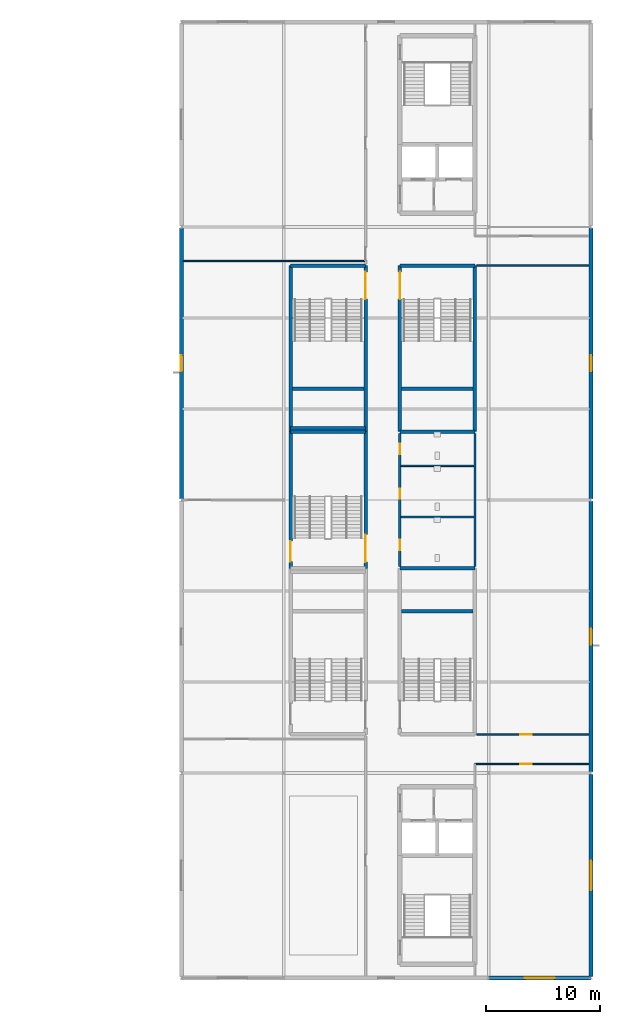
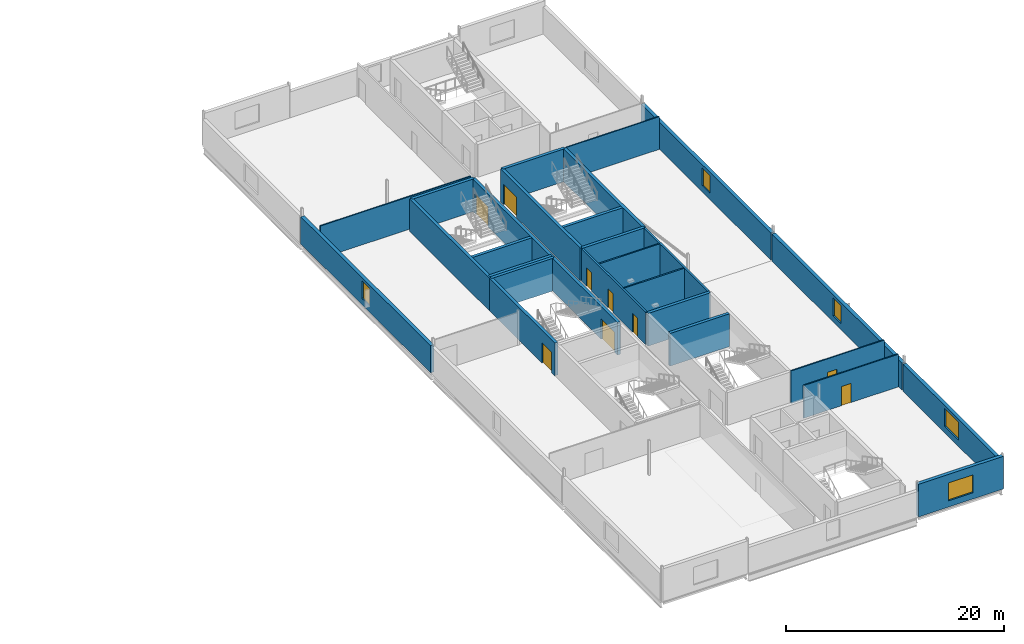
# One storey, part 23 of 35: 28 walls, 9 doors, 5 windows, 14 openings.
"""IFC4 building model written with IfcOpenShell, lengths in metres."""

from ifc_helpers import new_model, si_unit, direction, frame, frame_2d, origin, place, context, subcontext, project, spatial, rectangle, extrude, material, layer, layer_set, type_object, element, fill, save


model = new_model("IFC4")

# Units and contexts
model_context = context("Model", 3, precision=1e-05, world=origin(), true_north=direction((0.0, 1.0)))
body_context = subcontext(model_context, "Body", "Model", "MODEL_VIEW")
ifc_project = project(units=[si_unit("LENGTHUNIT", "METRE"), si_unit("AREAUNIT", "SQUARE_METRE"), si_unit("VOLUMEUNIT", "CUBIC_METRE"), si_unit("PLANEANGLEUNIT", "RADIAN"), si_unit("MASSUNIT", "GRAM", prefix="KILO")], contexts=[model_context])

# Site, building, storey
site_placement = place(None, origin())
site = spatial("IfcSite", under=ifc_project, at=site_placement, CompositionType="ELEMENT")
building_placement = place(site_placement, origin())
building = spatial("IfcBuilding", under=site, at=building_placement, Name="Kisiwana Market Hall", CompositionType="ELEMENT")
storey_placement = place(building_placement, frame((0.0, 0.0, 61.800048828125)))
storey = spatial("IfcBuildingStorey", under=building, at=storey_placement, Name="L14", CompositionType="ELEMENT", Elevation=61.800048828125)

# Wall
ifc_material_1 = material(Name="Masonry blockwork", Category="masonry")
ifc_layer_1 = layer(ifc_material_1, 0.199951171875, Name="Plastered fire compartment block wall")
ifc_layer_set_1 = layer_set([ifc_layer_1], Name="WL-COMP-200")
wall_type_1 = type_object("IfcWallType", Name="WL-COMP-200", PredefinedType="PARTITIONING", material=ifc_layer_set_1)
wall_1_placement = place(storey_placement, frame((187.800048828125, 54.159912109375, 0.0), z_axis=(0.0, 0.0, 1.0), x_axis=(0.0, 1.0, 0.0)))
element("IfcWall", 1, at=wall_1_placement, inside=storey, type_object=wall_type_1, Name="Interior partition W-3332", PredefinedType="PARTITIONING", context=body_context, shape_type="SweptSolid", body=[
    extrude(rectangle(XDim=11.68017578125, YDim=0.199951171875, at=frame_2d((5.840087890625, 0.0))), origin(), (0.0, 0.0, 1.0), 3.655029296875),
])

# Wall, openings, doors
wall_2_placement = place(storey_placement, frame((181.199951171875, 54.159912109375, 0.0), z_axis=(0.0, 0.0, 1.0), x_axis=(0.0, 1.0, 0.0)))
wall_2 = element("IfcWall", 2, at=wall_2_placement, inside=storey, type_object=wall_type_1, Name="Interior partition W-3333", PredefinedType="PARTITIONING", context=body_context, shape_type="SweptSolid", body=[
    extrude(rectangle(XDim=11.68017578125, YDim=0.199951171875, at=frame_2d((5.840087890625, 0.0))), origin(), (0.0, 0.0, 1.0), 3.655029296875),
])
opening_1_placement = place(wall_2_placement, frame((1.43994140625, 0.0, 0.0)))
opening_1 = element("IfcOpeningElement", 3, at=opening_1_placement, cuts=wall_2, Name="Opening DR-L14-039", PredefinedType="OPENING", context=body_context, shape_type="SweptSolid", body=[
    extrude(rectangle(XDim=0.89990234375, YDim=2.10009765625, at=frame_2d((0.449951171875, 1.050048828125))), frame((0.0, 0.11181640625, 0.0), z_axis=(0.0, -1.0, 0.0), x_axis=(1.0, 0.0, 0.0)), (0.0, 0.0, 1.0), 0.223876953125),
])
opening_2_placement = place(wall_2_placement, frame((5.93994140625, 0.0, 0.0)))
opening_2 = element("IfcOpeningElement", 4, at=opening_2_placement, cuts=wall_2, Name="Opening DR-L14-040", PredefinedType="OPENING", context=body_context, shape_type="SweptSolid", body=[
    extrude(rectangle(XDim=0.89990234375, YDim=2.10009765625, at=frame_2d((0.449951171875, 1.050048828125))), frame((0.0, 0.11181640625, 0.0), z_axis=(0.0, -1.0, 0.0), x_axis=(1.0, 0.0, 0.0)), (0.0, 0.0, 1.0), 0.223876953125),
])
opening_3_placement = place(wall_2_placement, frame((9.840087890625, 0.0, 0.0)))
opening_3 = element("IfcOpeningElement", 5, at=opening_3_placement, cuts=wall_2, Name="Opening DR-L14-041", PredefinedType="OPENING", context=body_context, shape_type="SweptSolid", body=[
    extrude(rectangle(XDim=0.949951171875, YDim=2.10009765625, at=frame_2d((0.47509765625, 1.050048828125))), frame((0.0, 0.11181640625, 0.0), z_axis=(0.0, -1.0, 0.0), x_axis=(1.0, 0.0, 0.0)), (0.0, 0.0, 1.0), 0.223876953125),
])
ifc_material_2 = material(Name="Aluminium alloy 6063-T6", Category="aluminium")
door_type_1 = type_object("IfcDoorType", Name="DR-WC-ACC-950", OperationType="NOTDEFINED", PredefinedType="DOOR", material=ifc_material_2)
door_1_placement = place(opening_3_placement, frame((0.949951171875, 0.0, 0.0), z_axis=(0.0, 0.0, 1.0), x_axis=(-1.0, 0.0, 0.0)))
door_1 = element("IfcDoor", 6, at=door_1_placement, inside=storey, type_object=door_type_1, Name="L14 E Accessible WC Door", OperationType="SINGLE_SWING_LEFT", OverallHeight=2.10009765625, OverallWidth=0.949951171875, PredefinedType="DOOR", context=body_context, shape_type="SweptSolid", body=[
    extrude(rectangle(XDim=0.949951171875, YDim=2.10009765625, at=frame_2d((0.47509765625, 1.050048828125))), frame((0.0, 0.02490234375, 0.0), z_axis=(0.0, -1.0, 0.0), x_axis=(1.0, 0.0, 0.0)), (0.0, 0.0, 1.0), 0.050048828125),
])
fill(opening_3, door_1)
ifc_material_3 = material(Name="Aluminium alloy 6063-T6", Category="aluminium")
door_type_2 = type_object("IfcDoorType", Name="DR-WC-STD-900", OperationType="NOTDEFINED", PredefinedType="DOOR", material=ifc_material_3)
door_2_placement = place(opening_1_placement, frame((0.89990234375, 0.0, 0.0), z_axis=(0.0, 0.0, 1.0), x_axis=(-1.0, 0.0, 0.0)))
door_2 = element("IfcDoor", 7, at=door_2_placement, inside=storey, type_object=door_type_2, Name="L14 E Male Toilet Door", OperationType="SINGLE_SWING_RIGHT", OverallHeight=2.10009765625, OverallWidth=0.89990234375, PredefinedType="DOOR", context=body_context, shape_type="SweptSolid", body=[
    extrude(rectangle(XDim=0.89990234375, YDim=2.10009765625, at=frame_2d((0.449951171875, 1.050048828125))), frame((0.0, 0.02490234375, 0.0), z_axis=(0.0, -1.0, 0.0), x_axis=(1.0, 0.0, 0.0)), (0.0, 0.0, 1.0), 0.050048828125),
])
fill(opening_1, door_2)
door_3_placement = place(opening_2_placement, frame((0.89990234375, 0.0, 0.0), z_axis=(0.0, 0.0, 1.0), x_axis=(-1.0, 0.0, 0.0)))
door_3 = element("IfcDoor", 8, at=door_3_placement, inside=storey, type_object=door_type_2, Name="L14 E Female Toilet Door", OperationType="SINGLE_SWING_LEFT", OverallHeight=2.10009765625, OverallWidth=0.89990234375, PredefinedType="DOOR", context=body_context, shape_type="SweptSolid", body=[
    extrude(rectangle(XDim=0.89990234375, YDim=2.10009765625, at=frame_2d((0.449951171875, 1.050048828125))), frame((0.0, 0.02490234375, 0.0), z_axis=(0.0, -1.0, 0.0), x_axis=(1.0, 0.0, 0.0)), (0.0, 0.0, 1.0), 0.050048828125),
])
fill(opening_2, door_3)

# Walls
ifc_material_4 = material(Name="Concrete C40/50", Category="concrete")
ifc_layer_2 = layer(ifc_material_4, 0.320068359375, Name="Reinforced concrete shaft wall")
ifc_layer_set_2 = layer_set([ifc_layer_2], Name="WL-CORE-320")
wall_type_2 = type_object("IfcWallType", Name="WL-CORE-320", PredefinedType="SHEAR", material=ifc_layer_set_2)
wall_3_placement = place(storey_placement, frame((181.199951171875, 54.0, 0.0), z_axis=(0.0, 0.0, 1.0), x_axis=(1.0, 0.0, 0.0)))
element("IfcWall", 9, at=wall_3_placement, inside=storey, type_object=wall_type_2, Name="Core E3 north shear wall W-3246", PredefinedType="SHEAR", context=body_context, shape_type="SweptSolid", body=[
    extrude(rectangle(XDim=6.60009765625, YDim=0.320068359375, at=frame_2d((3.300048828125, 0.0))), origin(), (0.0, 0.0, 1.0), 3.655029296875),
])
wall_4_placement = place(storey_placement, frame((181.360107421875, 50.219970703125, 0.0), z_axis=(0.0, 0.0, 1.0), x_axis=(1.0, 0.0, 0.0)))
element("IfcWall", 10, at=wall_4_placement, inside=storey, type_object=wall_type_2, Name="Core E3 riser divider shear wall W-3249", PredefinedType="SHEAR", context=body_context, shape_type="SweptSolid", body=[
    extrude(rectangle(XDim=6.27978515625, YDim=0.320068359375, at=frame_2d((3.139892578125, 0.0))), origin(), (0.0, 0.0, 1.0), 3.655029296875),
])
for number, where, z_axis, x_axis, name in (
    (11, (181.199951171875, 66.0, 0.0), (0.0, 0.0, 1.0), (1.0, 0.0, 0.0), "Core E4 south shear wall W-3250"),
    (12, (181.199951171875, 80.60009765625, 0.0), (0.0, 0.0, 1.0), (1.0, 0.0, 0.0), "Core E4 north shear wall W-3251"),
):
    element("IfcWall", number, at=place(storey_placement, frame(where, z_axis=z_axis, x_axis=x_axis)), inside=storey, type_object=wall_type_2, Name=name, PredefinedType="SHEAR", context=body_context, shape_type="SweptSolid", body=[
        extrude(rectangle(XDim=6.60009765625, YDim=0.320068359375, at=frame_2d((3.300048828125, 0.0))), origin(), (0.0, 0.0, 1.0), 3.655029296875),
    ])

# Wall, opening, door
wall_5_placement = place(storey_placement, frame((181.199951171875, 66.0, 0.0), z_axis=(0.0, 0.0, 1.0), x_axis=(0.0, 1.0, 0.0)))
wall_5 = element("IfcWall", 13, at=wall_5_placement, inside=storey, type_object=wall_type_2, Name="Core E4 corridor shear wall W-3252", PredefinedType="SHEAR", context=body_context, shape_type="SweptSolid", body=[
    extrude(rectangle(XDim=14.60009765625, YDim=0.320068359375, at=frame_2d((7.300048828125, 0.0))), origin(), (0.0, 0.0, 1.0), 3.655029296875),
])
opening_4_placement = place(wall_5_placement, frame((11.64990234375, 0.0, 0.0)))
opening_4 = element("IfcOpeningElement", 14, at=opening_4_placement, cuts=wall_5, Name="Opening DR-L14-016", PredefinedType="OPENING", context=body_context, shape_type="SweptSolid", body=[
    extrude(rectangle(XDim=2.39990234375, YDim=2.25, at=frame_2d((1.199951171875, 1.125))), frame((0.0, 0.171875, 0.0), z_axis=(0.0, -1.0, 0.0), x_axis=(1.0, 0.0, 0.0)), (0.0, 0.0, 1.0), 0.343994140625),
])
ifc_material_5 = material(Name="Steel S275", Category="steel")
door_type_3 = type_object("IfcDoorType", Name="DR-STAIR-FD120-2400", OperationType="DOUBLE_DOOR_SINGLE_SWING", PredefinedType="DOOR", material=ifc_material_5)
door_4_placement = place(opening_4_placement, frame((2.39990234375, 0.0, 0.0), z_axis=(0.0, 0.0, 1.0), x_axis=(-1.0, 0.0, 0.0)))
door_4 = element("IfcDoor", 15, at=door_4_placement, inside=storey, type_object=door_type_3, Name="Escape Stair E4 Fire Door (L14)", OperationType="DOUBLE_DOOR_SINGLE_SWING", OverallHeight=2.25, OverallWidth=2.39990234375, PredefinedType="DOOR", context=body_context, shape_type="SweptSolid", body=[
    extrude(rectangle(XDim=2.39990234375, YDim=2.25, at=frame_2d((1.199951171875, 1.125))), frame((0.0, 0.02490234375, 0.0), z_axis=(0.0, -1.0, 0.0), x_axis=(1.0, 0.0, 0.0)), (0.0, 0.0, 1.0), 0.050048828125),
])
fill(opening_4, door_4)

# Walls
wall_6_placement = place(storey_placement, frame((187.800048828125, 66.0, 0.0), z_axis=(0.0, 0.0, 1.0), x_axis=(0.0, 1.0, 0.0)))
element("IfcWall", 16, at=wall_6_placement, inside=storey, type_object=wall_type_2, Name="Core E4 outer shear wall W-3253", PredefinedType="SHEAR", context=body_context, shape_type="SweptSolid", body=[
    extrude(rectangle(XDim=14.60009765625, YDim=0.320068359375, at=frame_2d((7.300048828125, 0.0))), origin(), (0.0, 0.0, 1.0), 3.655029296875),
])
wall_7_placement = place(storey_placement, frame((181.360107421875, 69.780029296875, 0.0), z_axis=(0.0, 0.0, 1.0), x_axis=(1.0, 0.0, 0.0)))
element("IfcWall", 17, at=wall_7_placement, inside=storey, type_object=wall_type_2, Name="Core E4 riser divider shear wall W-3254", PredefinedType="SHEAR", context=body_context, shape_type="SweptSolid", body=[
    extrude(rectangle(XDim=6.27978515625, YDim=0.320068359375, at=frame_2d((3.139892578125, 0.0))), origin(), (0.0, 0.0, 1.0), 3.655029296875),
])
for number, where, z_axis, x_axis, name in (
    (18, (171.60009765625, 66.0, 0.0), (0.0, 0.0, 1.0), (1.0, 0.0, 0.0), "Core E8 south shear wall W-3270"),
    (19, (171.60009765625, 80.60009765625, 0.0), (0.0, 0.0, 1.0), (1.0, 0.0, 0.0), "Core E8 north shear wall W-3271"),
):
    element("IfcWall", number, at=place(storey_placement, frame(where, z_axis=z_axis, x_axis=x_axis)), inside=storey, type_object=wall_type_2, Name=name, PredefinedType="SHEAR", context=body_context, shape_type="SweptSolid", body=[
        extrude(rectangle(XDim=6.599853515625, YDim=0.320068359375, at=frame_2d((3.2998046875, 0.0))), origin(), (0.0, 0.0, 1.0), 3.655029296875),
    ])
wall_8_placement = place(storey_placement, frame((171.60009765625, 66.0, 0.0), z_axis=(0.0, 0.0, 1.0), x_axis=(0.0, 1.0, 0.0)))
element("IfcWall", 20, at=wall_8_placement, inside=storey, type_object=wall_type_2, Name="Core E8 outer shear wall W-3272", PredefinedType="SHEAR", context=body_context, shape_type="SweptSolid", body=[
    extrude(rectangle(XDim=14.60009765625, YDim=0.320068359375, at=frame_2d((7.300048828125, 0.0))), origin(), (0.0, 0.0, 1.0), 3.655029296875),
])

# Wall, opening, door
wall_9_placement = place(storey_placement, frame((178.199951171875, 66.0, 0.0), z_axis=(0.0, 0.0, 1.0), x_axis=(0.0, 1.0, 0.0)))
wall_9 = element("IfcWall", 21, at=wall_9_placement, inside=storey, type_object=wall_type_2, Name="Core E8 corridor shear wall W-3273", PredefinedType="SHEAR", context=body_context, shape_type="SweptSolid", body=[
    extrude(rectangle(XDim=14.60009765625, YDim=0.320068359375, at=frame_2d((7.300048828125, 0.0))), origin(), (0.0, 0.0, 1.0), 3.655029296875),
])
opening_5_placement = place(wall_9_placement, frame((11.64990234375, 0.0, 0.0)))
opening_5 = element("IfcOpeningElement", 22, at=opening_5_placement, cuts=wall_9, Name="Opening DR-L14-022", PredefinedType="OPENING", context=body_context, shape_type="SweptSolid", body=[
    extrude(rectangle(XDim=2.39990234375, YDim=2.25, at=frame_2d((1.199951171875, 1.125))), frame((0.0, 0.171875, 0.0), z_axis=(0.0, -1.0, 0.0), x_axis=(1.0, 0.0, 0.0)), (0.0, 0.0, 1.0), 0.343994140625),
])
door_5_placement = place(opening_5_placement, origin())
door_5 = element("IfcDoor", 23, at=door_5_placement, inside=storey, type_object=door_type_3, Name="Escape Stair E8 Fire Door (L14)", OperationType="DOUBLE_DOOR_SINGLE_SWING", OverallHeight=2.25, OverallWidth=2.39990234375, PredefinedType="DOOR", context=body_context, shape_type="SweptSolid", body=[
    extrude(rectangle(XDim=2.39990234375, YDim=2.25, at=frame_2d((1.199951171875, 1.125))), frame((0.0, 0.02490234375, 0.0), z_axis=(0.0, -1.0, 0.0), x_axis=(1.0, 0.0, 0.0)), (0.0, 0.0, 1.0), 0.050048828125),
])
fill(opening_5, door_5)

# Walls
wall_10_placement = place(storey_placement, frame((171.760009765625, 69.780029296875, 0.0), z_axis=(0.0, 0.0, 1.0), x_axis=(1.0, 0.0, 0.0)))
element("IfcWall", 24, at=wall_10_placement, inside=storey, type_object=wall_type_2, Name="Core E8 riser divider shear wall W-3274", PredefinedType="SHEAR", context=body_context, shape_type="SweptSolid", body=[
    extrude(rectangle(XDim=6.280029296875, YDim=0.320068359375, at=frame_2d((3.14013671875, 0.0))), origin(), (0.0, 0.0, 1.0), 3.655029296875),
])
wall_11_placement = place(storey_placement, frame((171.60009765625, 66.320068359375, 0.0), z_axis=(0.0, 0.0, 1.0), x_axis=(1.0, 0.0, 0.0)))
element("IfcWall", 25, at=wall_11_placement, inside=storey, type_object=wall_type_2, Name="Core E5 north shear wall W-3280", PredefinedType="SHEAR", context=body_context, shape_type="SweptSolid", body=[
    extrude(rectangle(XDim=6.599853515625, YDim=0.320068359375, at=frame_2d((3.2998046875, 0.0))), origin(), (0.0, 0.0, 1.0), 3.655029296875),
])

# Wall, opening, door
wall_12_placement = place(storey_placement, frame((171.60009765625, 54.0, 0.0), z_axis=(0.0, 0.0, 1.0), x_axis=(0.0, 1.0, 0.0)))
wall_12 = element("IfcWall", 26, at=wall_12_placement, inside=storey, type_object=wall_type_2, Name="Core E5 outer shear wall W-3281", PredefinedType="SHEAR", context=body_context, shape_type="SweptSolid", body=[
    extrude(rectangle(XDim=12.0, YDim=0.320068359375, at=frame_2d((6.0, 0.0))), origin(), (0.0, 0.0, 1.0), 3.655029296875),
])
opening_6_placement = place(wall_12_placement, frame((0.580078125, 0.0, 0.0)))
opening_6 = element("IfcOpeningElement", 27, at=opening_6_placement, cuts=wall_12, Name="Opening DR-L14-026", PredefinedType="OPENING", context=body_context, shape_type="SweptSolid", body=[
    extrude(rectangle(XDim=1.800048828125, YDim=2.25, at=frame_2d((0.89990234375, 1.125))), frame((0.0, 0.171875, 0.0), z_axis=(0.0, -1.0, 0.0), x_axis=(1.0, 0.0, 0.0)), (0.0, 0.0, 1.0), 0.343994140625),
])
ifc_material_6 = material(Name="Steel S275", Category="steel")
door_type_4 = type_object("IfcDoorType", Name="DR-STAIR-FD120-1800", OperationType="DOUBLE_DOOR_SINGLE_SWING", PredefinedType="DOOR", material=ifc_material_6)
door_6_placement = place(opening_6_placement, frame((1.800048828125, 0.0, 0.0), z_axis=(0.0, 0.0, 1.0), x_axis=(-1.0, 0.0, 0.0)))
door_6 = element("IfcDoor", 28, at=door_6_placement, inside=storey, type_object=door_type_4, Name="Escape Stair E5 Room Door (L14)", OperationType="DOUBLE_DOOR_SINGLE_SWING", OverallHeight=2.25, OverallWidth=1.800048828125, PredefinedType="DOOR", context=body_context, shape_type="SweptSolid", body=[
    extrude(rectangle(XDim=1.800048828125, YDim=2.25, at=frame_2d((0.89990234375, 1.125))), frame((0.0, 0.02490234375, 0.0), z_axis=(0.0, -1.0, 0.0), x_axis=(1.0, 0.0, 0.0)), (0.0, 0.0, 1.0), 0.050048828125),
])
fill(opening_6, door_6)

wall_13_placement = place(storey_placement, frame((178.199951171875, 54.0, 0.0), z_axis=(0.0, 0.0, 1.0), x_axis=(0.0, 1.0, 0.0)))
wall_13 = element("IfcWall", 29, at=wall_13_placement, inside=storey, type_object=wall_type_2, Name="Core E5 corridor shear wall W-3282", PredefinedType="SHEAR", context=body_context, shape_type="SweptSolid", body=[
    extrude(rectangle(XDim=12.0, YDim=0.320068359375, at=frame_2d((6.0, 0.0))), origin(), (0.0, 0.0, 1.0), 3.655029296875),
])
opening_7_placement = place(wall_13_placement, frame((0.550048828125, 0.0, 0.0)))
opening_7 = element("IfcOpeningElement", 30, at=opening_7_placement, cuts=wall_13, Name="Opening DR-L14-025", PredefinedType="OPENING", context=body_context, shape_type="SweptSolid", body=[
    extrude(rectangle(XDim=2.39990234375, YDim=2.25, at=frame_2d((1.199951171875, 1.125))), frame((0.0, 0.171875, 0.0), z_axis=(0.0, -1.0, 0.0), x_axis=(1.0, 0.0, 0.0)), (0.0, 0.0, 1.0), 0.343994140625),
])
door_7_placement = place(opening_7_placement, origin())
door_7 = element("IfcDoor", 31, at=door_7_placement, inside=storey, type_object=door_type_3, Name="Escape Stair E5 Fire Door (L14)", OperationType="DOUBLE_DOOR_SINGLE_SWING", OverallHeight=2.25, OverallWidth=2.39990234375, PredefinedType="DOOR", context=body_context, shape_type="SweptSolid", body=[
    extrude(rectangle(XDim=2.39990234375, YDim=2.25, at=frame_2d((1.199951171875, 1.125))), frame((0.0, 0.02490234375, 0.0), z_axis=(0.0, -1.0, 0.0), x_axis=(1.0, 0.0, 0.0)), (0.0, 0.0, 1.0), 0.050048828125),
])
fill(opening_7, door_7)

# Wall, opening, window
ifc_material_7 = material(Name="Concrete C40/50 precast", Category="concrete")
ifc_layer_3 = layer(ifc_material_7, 0.364990234375)
ifc_layer_set_3 = layer_set([ifc_layer_3], Name="WL-EXT-365")
wall_type_3 = type_object("IfcWallType", Name="WL-EXT-365", PredefinedType="STANDARD", material=ifc_layer_set_3)
wall_14_placement = place(storey_placement, frame((189.010009765625, 18.0, 0.0), z_axis=(0.0, 0.0, 1.0), x_axis=(1.0, 0.0, 0.0)))
wall_14 = element("IfcWall", 32, at=wall_14_placement, inside=storey, type_object=wall_type_3, Name="Exterior wall W-3288", PredefinedType="STANDARD", context=body_context, shape_type="SweptSolid", body=[
    extrude(rectangle(XDim=8.97998046875, YDim=0.364990234375, at=frame_2d((4.489990234375, 0.0))), origin(), (0.0, 0.0, 1.0), 3.655029296875),
])
opening_8_placement = place(wall_14_placement, frame((3.18994140625, 0.0, 0.699951171875)))
opening_8 = element("IfcOpeningElement", 33, at=opening_8_placement, cuts=wall_14, Name="Opening WN-13", PredefinedType="OPENING", context=body_context, shape_type="SweptSolid", body=[
    extrude(rectangle(XDim=2.60009765625, YDim=2.0, at=frame_2d((1.300048828125, 1.0))), frame((0.0, 0.1943359375, 0.0), z_axis=(0.0, -1.0, 0.0), x_axis=(1.0, 0.0, 0.0)), (0.0, 0.0, 1.0), 0.388916015625),
])
ifc_material_8 = material(Name="Double-glazed solar-control low-E IGU", Category="glass")
window_type_1 = type_object("IfcWindowType", Name="WN-OFFC-2600x2000", PartitioningType="SINGLE_PANEL", PredefinedType="WINDOW", material=ifc_material_8)
window_1_placement = place(opening_8_placement, origin())
window_1 = element("IfcWindow", 34, at=window_1_placement, inside=storey, type_object=window_type_1, Name="Exterior window WN-397", OverallHeight=2.0, OverallWidth=2.60009765625, PartitioningType="SINGLE_PANEL", PredefinedType="WINDOW", context=body_context, shape_type="SweptSolid", body=[
    extrude(rectangle(XDim=2.60009765625, YDim=2.0, at=frame_2d((1.300048828125, 1.0))), frame((0.0, 0.030029296875, 0.0), z_axis=(0.0, -1.0, 0.0), x_axis=(1.0, 0.0, 0.0)), (0.0, 0.0, 1.0), 0.06005859375),
])
fill(opening_8, window_1)

wall_15_placement = place(storey_placement, frame((162.0, 60.107666015625, 0.0), z_axis=(0.0, 0.0, 1.0), x_axis=(0.0, 1.0, 0.0)))
wall_15 = element("IfcWall", 35, at=wall_15_placement, inside=storey, type_object=wall_type_3, Name="Exterior wall W-3305", PredefinedType="STANDARD", context=body_context, shape_type="SweptSolid", body=[
    extrude(rectangle(XDim=23.78466796875, YDim=0.364990234375, at=frame_2d((11.892333984375, 0.0))), origin(), (0.0, 0.0, 1.0), 3.02978515625),
])
opening_9_placement = place(wall_15_placement, frame((11.1923828125, 0.0, 0.699951171875)))
opening_9 = element("IfcOpeningElement", 36, at=opening_9_placement, cuts=wall_15, Name="Opening WN-05", PredefinedType="OPENING", context=body_context, shape_type="SweptSolid", body=[
    extrude(rectangle(XDim=1.39990234375, YDim=2.0, at=frame_2d((0.699951171875, 1.0))), frame((0.0, 0.1943359375, 0.0), z_axis=(0.0, -1.0, 0.0), x_axis=(1.0, 0.0, 0.0)), (0.0, 0.0, 1.0), 0.388916015625),
])
ifc_material_9 = material(Name="Double-glazed solar-control low-E IGU", Category="glass")
window_type_2 = type_object("IfcWindowType", Name="WN-OFFC-1400x2000", PartitioningType="SINGLE_PANEL", PredefinedType="WINDOW", material=ifc_material_9)
window_2_placement = place(opening_9_placement, origin())
window_2 = element("IfcWindow", 37, at=window_2_placement, inside=storey, type_object=window_type_2, Name="Exterior window WN-391", OverallHeight=2.0, OverallWidth=1.39990234375, PartitioningType="SINGLE_PANEL", PredefinedType="WINDOW", context=body_context, shape_type="SweptSolid", body=[
    extrude(rectangle(XDim=1.39990234375, YDim=2.0, at=frame_2d((0.699951171875, 1.0))), frame((0.0, 0.030029296875, 0.0), z_axis=(0.0, -1.0, 0.0), x_axis=(1.0, 0.0, 0.0)), (0.0, 0.0, 1.0), 0.06005859375),
])
fill(opening_9, window_2)

wall_16_placement = place(storey_placement, frame((198.0, 18.107666015625, 0.0), z_axis=(0.0, 0.0, 1.0), x_axis=(0.0, 1.0, 0.0)))
wall_16 = element("IfcWall", 38, at=wall_16_placement, inside=storey, type_object=wall_type_3, Name="Exterior wall W-3307", PredefinedType="STANDARD", context=body_context, shape_type="SweptSolid", body=[
    extrude(rectangle(XDim=17.78466796875, YDim=0.364990234375, at=frame_2d((8.892333984375, 0.0))), origin(), (0.0, 0.0, 1.0), 3.042724609375),
])
opening_10_placement = place(wall_16_placement, frame((7.59228515625, 0.0, 0.699951171875)))
opening_10 = element("IfcOpeningElement", 39, at=opening_10_placement, cuts=wall_16, Name="Opening WN-13", PredefinedType="OPENING", context=body_context, shape_type="SweptSolid", body=[
    extrude(rectangle(XDim=2.60009765625, YDim=2.0, at=frame_2d((1.300048828125, 1.0))), frame((0.0, 0.1943359375, 0.0), z_axis=(0.0, -1.0, 0.0), x_axis=(1.0, 0.0, 0.0)), (0.0, 0.0, 1.0), 0.388916015625),
])
window_3_placement = place(opening_10_placement, origin())
window_3 = element("IfcWindow", 40, at=window_3_placement, inside=storey, type_object=window_type_1, Name="Exterior window WN-408", OverallHeight=2.0, OverallWidth=2.60009765625, PartitioningType="SINGLE_PANEL", PredefinedType="WINDOW", context=body_context, shape_type="SweptSolid", body=[
    extrude(rectangle(XDim=2.60009765625, YDim=2.0, at=frame_2d((1.300048828125, 1.0))), frame((0.0, 0.030029296875, 0.0), z_axis=(0.0, -1.0, 0.0), x_axis=(1.0, 0.0, 0.0)), (0.0, 0.0, 1.0), 0.06005859375),
])
fill(opening_10, window_3)

wall_17_placement = place(storey_placement, frame((198.0, 36.107666015625, 0.0), z_axis=(0.0, 0.0, 1.0), x_axis=(0.0, 1.0, 0.0)))
wall_17 = element("IfcWall", 41, at=wall_17_placement, inside=storey, type_object=wall_type_3, Name="Exterior wall W-3308", PredefinedType="STANDARD", context=body_context, shape_type="SweptSolid", body=[
    extrude(rectangle(XDim=23.78466796875, YDim=0.364990234375, at=frame_2d((11.892333984375, 0.0))), origin(), (0.0, 0.0, 1.0), 3.042724609375),
])
opening_11_placement = place(wall_17_placement, frame((11.1923828125, 0.0, 0.699951171875)))
opening_11 = element("IfcOpeningElement", 42, at=opening_11_placement, cuts=wall_17, Name="Opening WN-05", PredefinedType="OPENING", context=body_context, shape_type="SweptSolid", body=[
    extrude(rectangle(XDim=1.39990234375, YDim=2.0, at=frame_2d((0.699951171875, 1.0))), frame((0.0, 0.1943359375, 0.0), z_axis=(0.0, -1.0, 0.0), x_axis=(1.0, 0.0, 0.0)), (0.0, 0.0, 1.0), 0.388916015625),
])
window_4_placement = place(opening_11_placement, origin())
window_4 = element("IfcWindow", 43, at=window_4_placement, inside=storey, type_object=window_type_2, Name="Exterior window WN-392", OverallHeight=2.0, OverallWidth=1.39990234375, PartitioningType="SINGLE_PANEL", PredefinedType="WINDOW", context=body_context, shape_type="SweptSolid", body=[
    extrude(rectangle(XDim=1.39990234375, YDim=2.0, at=frame_2d((0.699951171875, 1.0))), frame((0.0, 0.030029296875, 0.0), z_axis=(0.0, -1.0, 0.0), x_axis=(1.0, 0.0, 0.0)), (0.0, 0.0, 1.0), 0.06005859375),
])
fill(opening_11, window_4)

wall_18_placement = place(storey_placement, frame((198.0, 60.107666015625, 0.0), z_axis=(0.0, 0.0, 1.0), x_axis=(0.0, 1.0, 0.0)))
wall_18 = element("IfcWall", 44, at=wall_18_placement, inside=storey, type_object=wall_type_3, Name="Exterior wall W-3309", PredefinedType="STANDARD", context=body_context, shape_type="SweptSolid", body=[
    extrude(rectangle(XDim=23.78466796875, YDim=0.364990234375, at=frame_2d((11.892333984375, 0.0))), origin(), (0.0, 0.0, 1.0), 3.042724609375),
])
opening_12_placement = place(wall_18_placement, frame((11.1923828125, 0.0, 0.699951171875)))
opening_12 = element("IfcOpeningElement", 45, at=opening_12_placement, cuts=wall_18, Name="Opening WN-05", PredefinedType="OPENING", context=body_context, shape_type="SweptSolid", body=[
    extrude(rectangle(XDim=1.39990234375, YDim=2.0, at=frame_2d((0.699951171875, 1.0))), frame((0.0, 0.1943359375, 0.0), z_axis=(0.0, -1.0, 0.0), x_axis=(1.0, 0.0, 0.0)), (0.0, 0.0, 1.0), 0.388916015625),
])
window_5_placement = place(opening_12_placement, origin())
window_5 = element("IfcWindow", 46, at=window_5_placement, inside=storey, type_object=window_type_2, Name="Exterior window WN-393", OverallHeight=2.0, OverallWidth=1.39990234375, PartitioningType="SINGLE_PANEL", PredefinedType="WINDOW", context=body_context, shape_type="SweptSolid", body=[
    extrude(rectangle(XDim=1.39990234375, YDim=2.0, at=frame_2d((0.699951171875, 1.0))), frame((0.0, 0.030029296875, 0.0), z_axis=(0.0, -1.0, 0.0), x_axis=(1.0, 0.0, 0.0)), (0.0, 0.0, 1.0), 0.06005859375),
])
fill(opening_12, window_5)

# Wall, opening, door
ifc_material_10 = material(Name="Gypsum plasterboard")
ifc_layer_4 = layer(ifc_material_10, 0.125, Name="Double gypsum board + acoustic stud")
ifc_layer_set_4 = layer_set([ifc_layer_4], Name="WL-OFF-125")
wall_type_4 = type_object("IfcWallType", Name="WL-OFF-125", PredefinedType="PARTITIONING", material=ifc_layer_set_4)
wall_19_placement = place(storey_placement, frame((187.800048828125, 36.800048828125, 0.0), z_axis=(0.0, 0.0, 1.0), x_axis=(1.0, 0.0, 0.0)))
wall_19 = element("IfcWall", 47, at=wall_19_placement, inside=storey, type_object=wall_type_4, Name="Interior partition W-3340", PredefinedType="PARTITIONING", context=body_context, shape_type="SweptSolid", body=[
    extrude(rectangle(XDim=10.017333984375, YDim=0.125, at=frame_2d((5.0087890625, 0.0))), origin(), (0.0, 0.0, 1.0), 3.655029296875),
])
opening_13_placement = place(wall_19_placement, frame((4.0, 0.0, 0.0)))
opening_13 = element("IfcOpeningElement", 48, at=opening_13_placement, cuts=wall_19, Name="Opening DR-L14-042", PredefinedType="OPENING", context=body_context, shape_type="SweptSolid", body=[
    extrude(rectangle(XDim=1.0, YDim=2.14990234375, at=frame_2d((0.5, 1.074951171875))), frame((0.0, 0.074462890625, 0.0), z_axis=(0.0, -1.0, 0.0), x_axis=(1.0, 0.0, 0.0)), (0.0, 0.0, 1.0), 0.14892578125),
])
ifc_material_11 = material(Name="Aluminium alloy 6063-T6", Category="aluminium")
door_type_5 = type_object("IfcDoorType", Name="DR-OFF-1000", OperationType="NOTDEFINED", PredefinedType="DOOR", material=ifc_material_11)
door_8_placement = place(opening_13_placement, frame((1.0, 0.0, 0.0), z_axis=(0.0, 0.0, 1.0), x_axis=(-1.0, 0.0, 0.0)))
door_8 = element("IfcDoor", 49, at=door_8_placement, inside=storey, type_object=door_type_5, Name="L14 E Commercial Office South Door", OperationType="SINGLE_SWING_RIGHT", OverallHeight=2.14990234375, OverallWidth=1.0, PredefinedType="DOOR", context=body_context, shape_type="SweptSolid", body=[
    extrude(rectangle(XDim=1.0, YDim=2.14990234375, at=frame_2d((0.5, 1.074951171875))), frame((0.0, 0.02490234375, 0.0), z_axis=(0.0, -1.0, 0.0), x_axis=(1.0, 0.0, 0.0)), (0.0, 0.0, 1.0), 0.050048828125),
])
fill(opening_13, door_8)

wall_20_placement = place(storey_placement, frame((187.9599609375, 39.39990234375, 0.0), z_axis=(0.0, 0.0, 1.0), x_axis=(1.0, 0.0, 0.0)))
wall_20 = element("IfcWall", 50, at=wall_20_placement, inside=storey, type_object=wall_type_4, Name="Interior partition W-3341", PredefinedType="PARTITIONING", context=body_context, shape_type="SweptSolid", body=[
    extrude(rectangle(XDim=9.857421875, YDim=0.125, at=frame_2d((4.9287109375, 0.0))), origin(), (0.0, 0.0, 1.0), 3.655029296875),
])
opening_14_placement = place(wall_20_placement, frame((3.840087890625, 0.0, 0.0)))
opening_14 = element("IfcOpeningElement", 51, at=opening_14_placement, cuts=wall_20, Name="Opening DR-L14-043", PredefinedType="OPENING", context=body_context, shape_type="SweptSolid", body=[
    extrude(rectangle(XDim=1.0, YDim=2.14990234375, at=frame_2d((0.5, 1.074951171875))), frame((0.0, 0.074462890625, 0.0), z_axis=(0.0, -1.0, 0.0), x_axis=(1.0, 0.0, 0.0)), (0.0, 0.0, 1.0), 0.14892578125),
])
door_9_placement = place(opening_14_placement, origin())
door_9 = element("IfcDoor", 52, at=door_9_placement, inside=storey, type_object=door_type_5, Name="L14 E Commercial Office Central Door", OperationType="SINGLE_SWING_LEFT", OverallHeight=2.14990234375, OverallWidth=1.0, PredefinedType="DOOR", context=body_context, shape_type="SweptSolid", body=[
    extrude(rectangle(XDim=1.0, YDim=2.14990234375, at=frame_2d((0.5, 1.074951171875))), frame((0.0, 0.02490234375, 0.0), z_axis=(0.0, -1.0, 0.0), x_axis=(1.0, 0.0, 0.0)), (0.0, 0.0, 1.0), 0.050048828125),
])
fill(opening_14, door_9)

# Walls
wall_21_placement = place(storey_placement, frame((187.9599609375, 80.60009765625, 0.0), z_axis=(0.0, 0.0, 1.0), x_axis=(1.0, 0.0, 0.0)))
element("IfcWall", 53, at=wall_21_placement, inside=storey, type_object=wall_type_4, Name="Interior partition W-3342", PredefinedType="PARTITIONING", context=body_context, shape_type="SweptSolid", body=[
    extrude(rectangle(XDim=9.857421875, YDim=0.125, at=frame_2d((4.9287109375, 0.0))), origin(), (0.0, 0.0, 1.0), 3.655029296875),
])
wall_22_placement = place(storey_placement, frame((162.1826171875, 81.0, 0.0), z_axis=(0.0, 0.0, 1.0), x_axis=(1.0, 0.0, 0.0)))
element("IfcWall", 54, at=wall_22_placement, inside=storey, type_object=wall_type_4, Name="Interior partition W-3346", PredefinedType="PARTITIONING", context=body_context, shape_type="SweptSolid", body=[
    extrude(rectangle(XDim=15.932373046875, YDim=0.125, at=frame_2d((7.96630859375, 0.0))), origin(), (0.0, 0.0, 1.0), 3.655029296875),
])
ifc_material_12 = material(Name="Masonry blockwork", Category="masonry")
ifc_layer_5 = layer(ifc_material_12, 0.14990234375, Name="Water-resistant sanitary block wall")
ifc_layer_set_5 = layer_set([ifc_layer_5], Name="WL-WET-150")
wall_type_5 = type_object("IfcWallType", Name="WL-WET-150", PredefinedType="PARTITIONING", material=ifc_layer_set_5)
for number, where, z_axis, x_axis, name in (
    (55, (181.284912109375, 58.5, 0.0), (0.0, 0.0, 1.0), (1.0, 0.0, 0.0), "Interior partition W-3334"),
    (56, (181.284912109375, 63.0, 0.0), (0.0, 0.0, 1.0), (1.0, 0.0, 0.0), "Interior partition W-3335"),
):
    element("IfcWall", number, at=place(storey_placement, frame(where, z_axis=z_axis, x_axis=x_axis)), inside=storey, type_object=wall_type_5, Name=name, PredefinedType="PARTITIONING", context=body_context, shape_type="SweptSolid", body=[
        extrude(rectangle(XDim=6.43017578125, YDim=0.14990234375, at=frame_2d((3.215087890625, 0.0))), origin(), (0.0, 0.0, 1.0), 3.655029296875),
    ])

save(model, "model.ifc")
